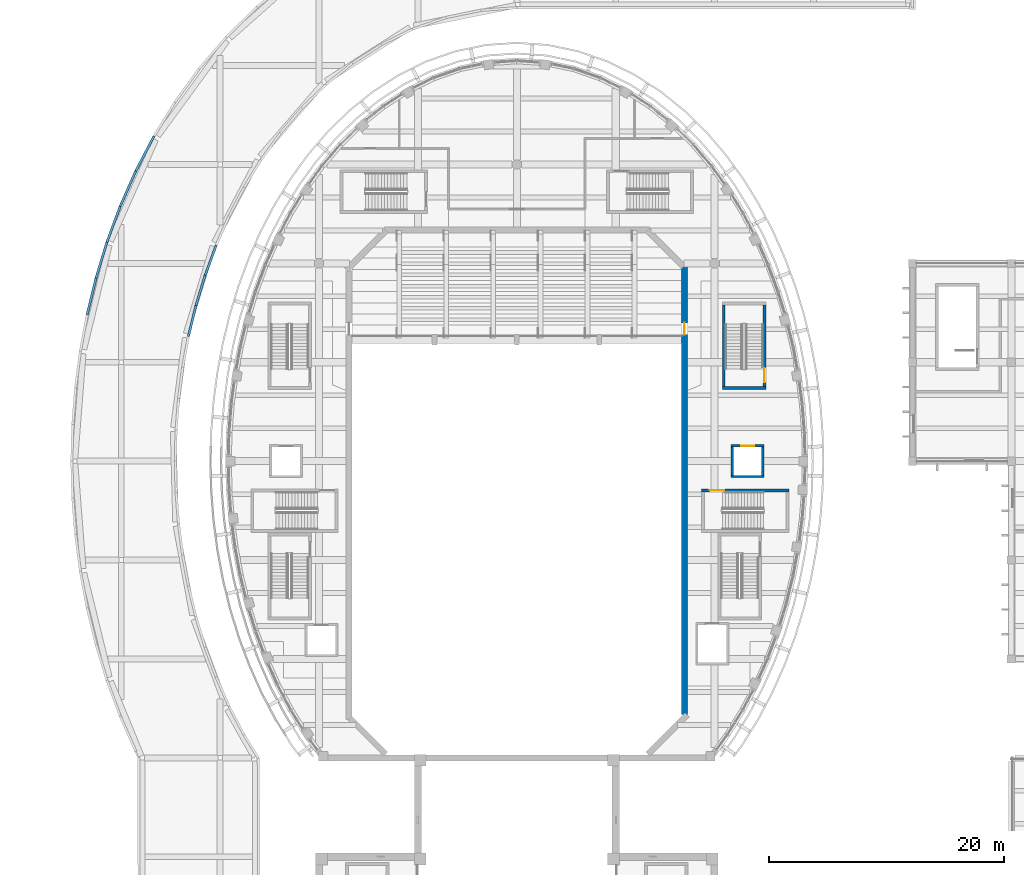
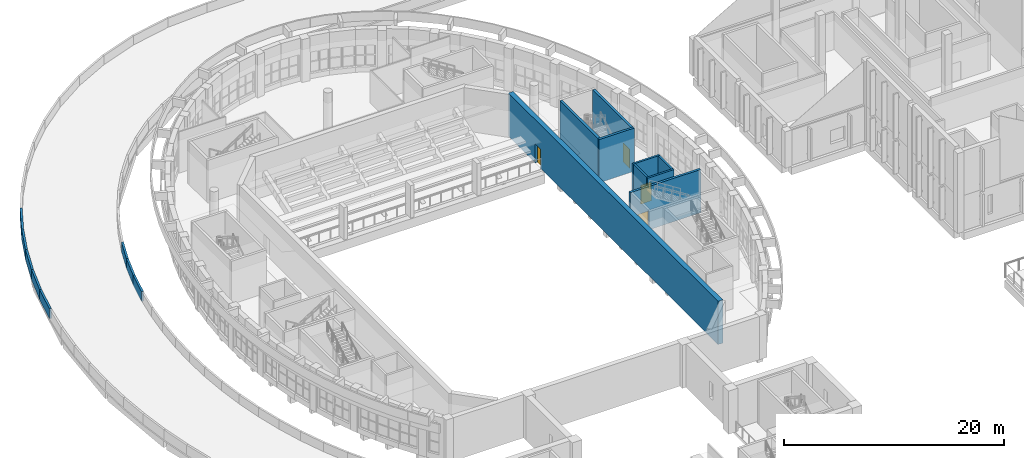
# One storey, part 27 of 79: 17 walls, 4 doors, 4 openings.
"""IFC4 building model written with IfcOpenShell, lengths in metres."""

from ifc_helpers import new_model, si_unit, direction, frame, frame_2d, origin, place, context, subcontext, project, spatial, rectangle, extrude, material, layer, layer_set, type_object, element, fill, save


model = new_model("IFC4")

# Units and contexts
model_context = context("Model", 3, precision=1e-05, world=origin(), true_north=direction((0.0, 1.0)))
body_context = subcontext(model_context, "Body", "Model", "MODEL_VIEW")
ifc_project = project(units=[si_unit("LENGTHUNIT", "METRE"), si_unit("AREAUNIT", "SQUARE_METRE"), si_unit("VOLUMEUNIT", "CUBIC_METRE"), si_unit("PLANEANGLEUNIT", "RADIAN"), si_unit("MASSUNIT", "GRAM", prefix="KILO")], contexts=[model_context])

# Site, building, storey
site_placement = place(None, origin())
site = spatial("IfcSite", under=ifc_project, at=site_placement, CompositionType="ELEMENT")
building_placement = place(site_placement, origin())
building = spatial("IfcBuilding", under=site, at=building_placement, Name="Larchfold Concert Hall", CompositionType="ELEMENT")
storey_placement = place(building_placement, frame((0.0, 0.0, 14.39990234375)))
storey = spatial("IfcBuildingStorey", under=building, at=storey_placement, Name="L03", CompositionType="ELEMENT", Elevation=14.39990234375)

# Walls
ifc_material_1 = material(Name="White render on insulated block")
ifc_layer_1 = layer(ifc_material_1, 0.199951171875)
ifc_layer_set_1 = layer_set([ifc_layer_1], Name="White render on insulated block")
wall_type_1 = type_object("IfcWallType", Name="Roof parapet 200", PredefinedType="PARAPET", material=ifc_layer_set_1)
wall_1_placement = place(storey_placement, frame((14.70849609375, 95.205322265625, 0.0), z_axis=(0.0, 0.0, 1.0), x_axis=(0.235896730961, 0.971778129164, 0.0)))
element("IfcWall", 1, at=wall_1_placement, inside=storey, type_object=wall_type_1, Name="Parapet PW0025", PredefinedType="PARAPET", context=body_context, shape_type="SweptSolid", body=[
    extrude(rectangle(XDim=2.6845703125, YDim=0.199951171875, at=frame_2d((1.34228515625, 0.0))), origin(), (0.0, 0.0, 1.0), 1.10009765625),
])
wall_2_placement = place(storey_placement, frame((15.341796875, 97.814208984375, 0.0), z_axis=(0.0, 0.0, 1.0), x_axis=(0.290505308427, 0.956873380221, 0.0)))
element("IfcWall", 2, at=wall_2_placement, inside=storey, type_object=wall_type_1, Name="Parapet PW0026", PredefinedType="PARAPET", context=body_context, shape_type="SweptSolid", body=[
    extrude(rectangle(XDim=2.6943359375, YDim=0.199951171875, at=frame_2d((1.34716796875, 0.0))), origin(), (0.0, 0.0, 1.0), 1.10009765625),
])
wall_3_placement = place(storey_placement, frame((16.12451171875, 100.392333984375, 0.0), z_axis=(0.0, 0.0, 1.0), x_axis=(0.346591474774, 0.938016177693, 0.0)))
element("IfcWall", 3, at=wall_3_placement, inside=storey, type_object=wall_type_1, Name="Parapet PW0027", PredefinedType="PARAPET", context=body_context, shape_type="SweptSolid", body=[
    extrude(rectangle(XDim=2.706298828125, YDim=0.199951171875, at=frame_2d((1.35302734375, 0.0))), origin(), (0.0, 0.0, 1.0), 1.10009765625),
])
wall_4_placement = place(storey_placement, frame((11.7734375, 112.196533203125, 0.0), z_axis=(0.0, 0.0, 1.0), x_axis=(-0.463066104985, -0.886323745825, 0.0)))
element("IfcWall", 4, at=wall_4_placement, inside=storey, type_object=wall_type_1, Name="Parapet PW0053", PredefinedType="PARAPET", context=body_context, shape_type="SweptSolid", body=[
    extrude(rectangle(XDim=3.336181640625, YDim=0.199951171875, at=frame_2d((1.66796875, 0.0))), origin(), (0.0, 0.0, 1.0), 1.10009765625),
])
wall_5_placement = place(storey_placement, frame((10.228515625, 109.239501953125, 0.0), z_axis=(0.0, 0.0, 1.0), x_axis=(-0.404039382065, -0.914741590691, 0.0)))
element("IfcWall", 5, at=wall_5_placement, inside=storey, type_object=wall_type_1, Name="Parapet PW0054", PredefinedType="PARAPET", context=body_context, shape_type="SweptSolid", body=[
    extrude(rectangle(XDim=3.2822265625, YDim=0.199951171875, at=frame_2d((1.64111328125, 0.0))), origin(), (0.0, 0.0, 1.0), 1.10009765625),
])
wall_6_placement = place(storey_placement, frame((8.90234375, 106.237060546875, 0.0), z_axis=(0.0, 0.0, 1.0), x_axis=(-0.346585276306, -0.938018467967, 0.0)))
element("IfcWall", 6, at=wall_6_placement, inside=storey, type_object=wall_type_1, Name="Parapet PW0055", PredefinedType="PARAPET", context=body_context, shape_type="SweptSolid", body=[
    extrude(rectangle(XDim=3.239501953125, YDim=0.199951171875, at=frame_2d((1.61962890625, 0.0))), origin(), (0.0, 0.0, 1.0), 1.10009765625),
])
wall_7_placement = place(storey_placement, frame((7.779541015625, 103.1982421875, 0.0), z_axis=(0.0, 0.0, 1.0), x_axis=(-0.290506524237, -0.956873011102, 0.0)))
element("IfcWall", 7, at=wall_7_placement, inside=storey, type_object=wall_type_1, Name="Parapet PW0056", PredefinedType="PARAPET", context=body_context, shape_type="SweptSolid", body=[
    extrude(rectangle(XDim=3.20361328125, YDim=0.199951171875, at=frame_2d((1.601806640625, 0.0))), origin(), (0.0, 0.0, 1.0), 1.10009765625),
])
wall_8_placement = place(storey_placement, frame((6.848876953125, 100.1328125, 0.0), z_axis=(0.0, 0.0, 1.0), x_axis=(-0.235890493366, -0.971779643304, 0.0)))
element("IfcWall", 8, at=wall_8_placement, inside=storey, type_object=wall_type_1, Name="Parapet PW0057", PredefinedType="PARAPET", context=body_context, shape_type="SweptSolid", body=[
    extrude(rectangle(XDim=3.17529296875, YDim=0.199951171875, at=frame_2d((1.587646484375, 0.0))), origin(), (0.0, 0.0, 1.0), 1.10009765625),
])
ifc_material_2 = material(Name="Concrete C40/50", Category="concrete")
ifc_layer_2 = layer(ifc_material_2, 0.199951171875)
ifc_layer_set_2 = layer_set([ifc_layer_2], Name="Concrete C40/50")
wall_type_2 = type_object("IfcWallType", Name="Wall RC 200 lift shaft", PredefinedType="SOLIDWALL", material=ifc_layer_set_2)
wall_9_placement = place(storey_placement, frame((60.800048828125, 83.300048828125, 0.0), z_axis=(0.0, 0.0, 1.0), x_axis=(1.0, 0.0, 0.0)))
element("IfcWall", 9, at=wall_9_placement, inside=storey, type_object=wall_type_2, Name="Wall W0118", PredefinedType="SOLIDWALL", context=body_context, shape_type="SweptSolid", body=[
    extrude(rectangle(XDim=2.800048828125, YDim=0.199951171875, at=frame_2d((1.39990234375, 0.0))), origin(), (0.0, 0.0, 1.0), 4.800048828125),
])

# Wall, opening, door
wall_10_placement = place(storey_placement, frame((60.800048828125, 85.89990234375, 0.0), z_axis=(0.0, 0.0, 1.0), x_axis=(1.0, 0.0, 0.0)))
wall_10 = element("IfcWall", 10, at=wall_10_placement, inside=storey, type_object=wall_type_2, Name="Wall W0119", PredefinedType="SOLIDWALL", context=body_context, shape_type="SweptSolid", body=[
    extrude(rectangle(XDim=2.800048828125, YDim=0.199951171875, at=frame_2d((1.39990234375, 0.0))), origin(), (0.0, 0.0, 1.0), 4.800048828125),
])
opening_1_placement = place(wall_10_placement, frame((0.85009765625, 0.0, 0.0)))
opening_1 = element("IfcOpeningElement", 11, at=opening_1_placement, cuts=wall_10, Name="Opening LD-LF03", PredefinedType="OPENING", context=body_context, shape_type="SweptSolid", body=[
    extrude(rectangle(XDim=1.10009765625, YDim=2.10009765625, at=frame_2d((0.550048828125, 1.050048828125))), frame((0.0, 0.10986328125, 0.0), z_axis=(0.0, -1.0, 0.0), x_axis=(1.0, 0.0, 0.0)), (0.0, 0.0, 1.0), 0.219970703125),
])
ifc_material_3 = material(Name="Stainless steel sliding leaves", Category="steel")
door_type_1 = type_object("IfcDoorType", Name="Lift landing door sliding 1100 x 2100", OperationType="SLIDING_TO_LEFT", PredefinedType="DOOR", material=ifc_material_3)
door_1_placement = place(opening_1_placement, origin())
door_1 = element("IfcDoor", 12, at=door_1_placement, inside=storey, type_object=door_type_1, Name="Lift landing door LF03", OperationType="SLIDING_TO_LEFT", OverallHeight=2.10009765625, OverallWidth=1.10009765625, PredefinedType="DOOR", context=body_context, shape_type="SweptSolid", body=[
    extrude(rectangle(XDim=1.10009765625, YDim=2.10009765625, at=frame_2d((0.550048828125, 1.050048828125))), frame((0.0, 0.02490234375, 0.0), z_axis=(0.0, -1.0, 0.0), x_axis=(1.0, 0.0, 0.0)), (0.0, 0.0, 1.0), 0.050048828125),
])
fill(opening_1, door_1)

# Walls
for number, where, z_axis, x_axis, name in (
    (13, (60.900146484375, 83.39990234375, 0.0), (0.0, 0.0, 1.0), (0.0, 1.0, 0.0), "Wall W0120"),
    (14, (63.5, 83.39990234375, 0.0), (0.0, 0.0, 1.0), (0.0, 1.0, 0.0), "Wall W0121"),
):
    element("IfcWall", number, at=place(storey_placement, frame(where, z_axis=z_axis, x_axis=x_axis)), inside=storey, type_object=wall_type_2, Name=name, PredefinedType="SOLIDWALL", context=body_context, shape_type="SweptSolid", body=[
        extrude(rectangle(XDim=2.400146484375, YDim=0.199951171875, at=frame_2d((1.2001953125, 0.0))), origin(), (0.0, 0.0, 1.0), 4.800048828125),
    ])
ifc_material_4 = material(Name="Concrete C40/50", Category="concrete")
ifc_layer_3 = layer(ifc_material_4, 0.25)
ifc_layer_set_3 = layer_set([ifc_layer_3], Name="Concrete C40/50")
wall_type_3 = type_object("IfcWallType", Name="Wall RC 250 stair core", PredefinedType="SOLIDWALL", material=ifc_layer_set_3)
wall_11_placement = place(storey_placement, frame((60.050048828125, 90.824951171875, 0.0), z_axis=(0.0, 0.0, 1.0), x_axis=(1.0, 0.0, 0.0)))
element("IfcWall", 15, at=wall_11_placement, inside=storey, type_object=wall_type_3, Name="Wall W0030", PredefinedType="SOLIDWALL", context=body_context, shape_type="SweptSolid", body=[
    extrude(rectangle(XDim=3.699951171875, YDim=0.25, at=frame_2d((1.85009765625, 0.0))), origin(), (0.0, 0.0, 1.0), 4.800048828125),
])
wall_12_placement = place(storey_placement, frame((60.175048828125, 90.949951171875, 0.0), z_axis=(0.0, 0.0, 1.0), x_axis=(0.0, 1.0, 0.0)))
element("IfcWall", 16, at=wall_12_placement, inside=storey, type_object=wall_type_3, Name="Wall W0032", PredefinedType="SOLIDWALL", context=body_context, shape_type="SweptSolid", body=[
    extrude(rectangle(XDim=6.900146484375, YDim=0.25, at=frame_2d((3.4501953125, 0.0))), origin(), (0.0, 0.0, 1.0), 4.800048828125),
])

# Wall, opening, door
wall_13_placement = place(storey_placement, frame((63.625, 90.949951171875, 0.0), z_axis=(0.0, 0.0, 1.0), x_axis=(0.0, 1.0, 0.0)))
wall_13 = element("IfcWall", 17, at=wall_13_placement, inside=storey, type_object=wall_type_3, Name="Wall W0033", PredefinedType="SOLIDWALL", context=body_context, shape_type="SweptSolid", body=[
    extrude(rectangle(XDim=6.900146484375, YDim=0.25, at=frame_2d((3.4501953125, 0.0))), origin(), (0.0, 0.0, 1.0), 4.800048828125),
])
opening_2_placement = place(wall_13_placement, frame((0.35009765625, 0.0, 0.0)))
opening_2 = element("IfcOpeningElement", 18, at=opening_2_placement, cuts=wall_13, Name="Opening D-L03-134", PredefinedType="OPENING", context=body_context, shape_type="SweptSolid", body=[
    extrude(rectangle(XDim=1.199951171875, YDim=2.10009765625, at=frame_2d((0.60009765625, 1.050048828125))), frame((0.0, 0.135009765625, 0.0), z_axis=(0.0, -1.0, 0.0), x_axis=(1.0, 0.0, 0.0)), (0.0, 0.0, 1.0), 0.27001953125),
])
ifc_material_5 = material(Name="Timber door leaf", Category="wood")
door_type_2 = type_object("IfcDoorType", Name="Stair enclosure door pair 1200 x 2100 FD60", OperationType="SINGLE_SWING_LEFT", PredefinedType="DOOR", material=ifc_material_5)
door_2_placement = place(opening_2_placement, origin())
door_2 = element("IfcDoor", 19, at=door_2_placement, inside=storey, type_object=door_type_2, Name="Door D-L03-134", OperationType="DOUBLE_DOOR_SINGLE_SWING", OverallHeight=2.10009765625, OverallWidth=1.199951171875, PredefinedType="DOOR", context=body_context, shape_type="SweptSolid", body=[
    extrude(rectangle(XDim=1.199951171875, YDim=2.10009765625, at=frame_2d((0.60009765625, 1.050048828125))), frame((0.0, 0.02490234375, 0.0), z_axis=(0.0, -1.0, 0.0), x_axis=(1.0, 0.0, 0.0)), (0.0, 0.0, 1.0), 0.050048828125),
])
fill(opening_2, door_2)

wall_14_placement = place(storey_placement, frame((58.300048828125, 82.125, 0.0), z_axis=(0.0, 0.0, 1.0), x_axis=(1.0, 0.0, 0.0)))
wall_14 = element("IfcWall", 20, at=wall_14_placement, inside=storey, type_object=wall_type_3, Name="Wall W0059", PredefinedType="SOLIDWALL", context=body_context, shape_type="SweptSolid", body=[
    extrude(rectangle(XDim=7.39990234375, YDim=0.25, at=frame_2d((3.699951171875, 0.0))), origin(), (0.0, 0.0, 1.0), 4.800048828125),
])
opening_3_placement = place(wall_14_placement, frame((0.699951171875, 0.0, 0.0)))
opening_3 = element("IfcOpeningElement", 21, at=opening_3_placement, cuts=wall_14, Name="Opening D-L03-132", PredefinedType="OPENING", context=body_context, shape_type="SweptSolid", body=[
    extrude(rectangle(XDim=1.199951171875, YDim=2.10009765625, at=frame_2d((0.60009765625, 1.050048828125))), frame((0.0, 0.135009765625, 0.0), z_axis=(0.0, -1.0, 0.0), x_axis=(1.0, 0.0, 0.0)), (0.0, 0.0, 1.0), 0.27001953125),
])
door_3_placement = place(opening_3_placement, origin())
door_3 = element("IfcDoor", 22, at=door_3_placement, inside=storey, type_object=door_type_2, Name="Door D-L03-132", OperationType="DOUBLE_DOOR_SINGLE_SWING", OverallHeight=2.10009765625, OverallWidth=1.199951171875, PredefinedType="DOOR", context=body_context, shape_type="SweptSolid", body=[
    extrude(rectangle(XDim=1.199951171875, YDim=2.10009765625, at=frame_2d((0.60009765625, 1.050048828125))), frame((0.0, 0.02490234375, 0.0), z_axis=(0.0, -1.0, 0.0), x_axis=(1.0, 0.0, 0.0)), (0.0, 0.0, 1.0), 0.050048828125),
])
fill(opening_3, door_3)

ifc_material_6 = material(Name="Concrete C40/50", Category="concrete")
ifc_layer_4 = layer(ifc_material_6, 0.5)
ifc_layer_set_4 = layer_set([ifc_layer_4], Name="Concrete C40/50")
wall_type_4 = type_object("IfcWallType", Name="Wall RC 500 hall shell", PredefinedType="SOLIDWALL", material=ifc_layer_set_4)
wall_15_placement = place(storey_placement, frame((56.85009765625, 63.10009765625, 0.0), z_axis=(0.0, 0.0, 1.0), x_axis=(0.0, 1.0, 0.0)))
wall_15 = element("IfcWall", 23, at=wall_15_placement, inside=storey, type_object=wall_type_4, Name="Wall W0002", PredefinedType="SOLIDWALL", context=body_context, shape_type="SweptSolid", body=[
    extrude(rectangle(XDim=38.151123046875, YDim=0.5, at=frame_2d((19.07568359375, 0.0))), origin(), (0.0, 0.0, 1.0), 4.800048828125),
])
opening_4_placement = place(wall_15_placement, frame((33.25, 0.0, 0.0), z_axis=(0.0, 0.0, 1.0), x_axis=(-1.0, 0.0, 0.0)))
opening_4 = element("IfcOpeningElement", 24, at=opening_4_placement, cuts=wall_15, Name="Opening D-L03-150", PredefinedType="OPENING", context=body_context, shape_type="SweptSolid", body=[
    extrude(rectangle(XDim=1.0, YDim=2.10009765625, at=frame_2d((0.5, 1.050048828125))), frame((0.0, 0.260009765625, 0.0), z_axis=(0.0, -1.0, 0.0), x_axis=(1.0, 0.0, 0.0)), (0.0, 0.0, 1.0), 0.52001953125),
])
ifc_material_7 = material(Name="Timber door leaf", Category="wood")
door_type_3 = type_object("IfcDoorType", Name="Hall vomitory door pair, acoustic 1000 x 2100 FD60", OperationType="SINGLE_SWING_LEFT", PredefinedType="DOOR", material=ifc_material_7)
door_4_placement = place(opening_4_placement, origin())
door_4 = element("IfcDoor", 25, at=door_4_placement, inside=storey, type_object=door_type_3, Name="Door D-L03-150", OperationType="SINGLE_SWING_RIGHT", OverallHeight=2.10009765625, OverallWidth=1.0, PredefinedType="DOOR", context=body_context, shape_type="SweptSolid", body=[
    extrude(rectangle(XDim=1.0, YDim=2.10009765625, at=frame_2d((0.5, 1.050048828125))), frame((0.0, 0.02490234375, 0.0), z_axis=(0.0, -1.0, 0.0), x_axis=(1.0, 0.0, 0.0)), (0.0, 0.0, 1.0), 0.050048828125),
])
fill(opening_4, door_4)

save(model, "model.ifc")
